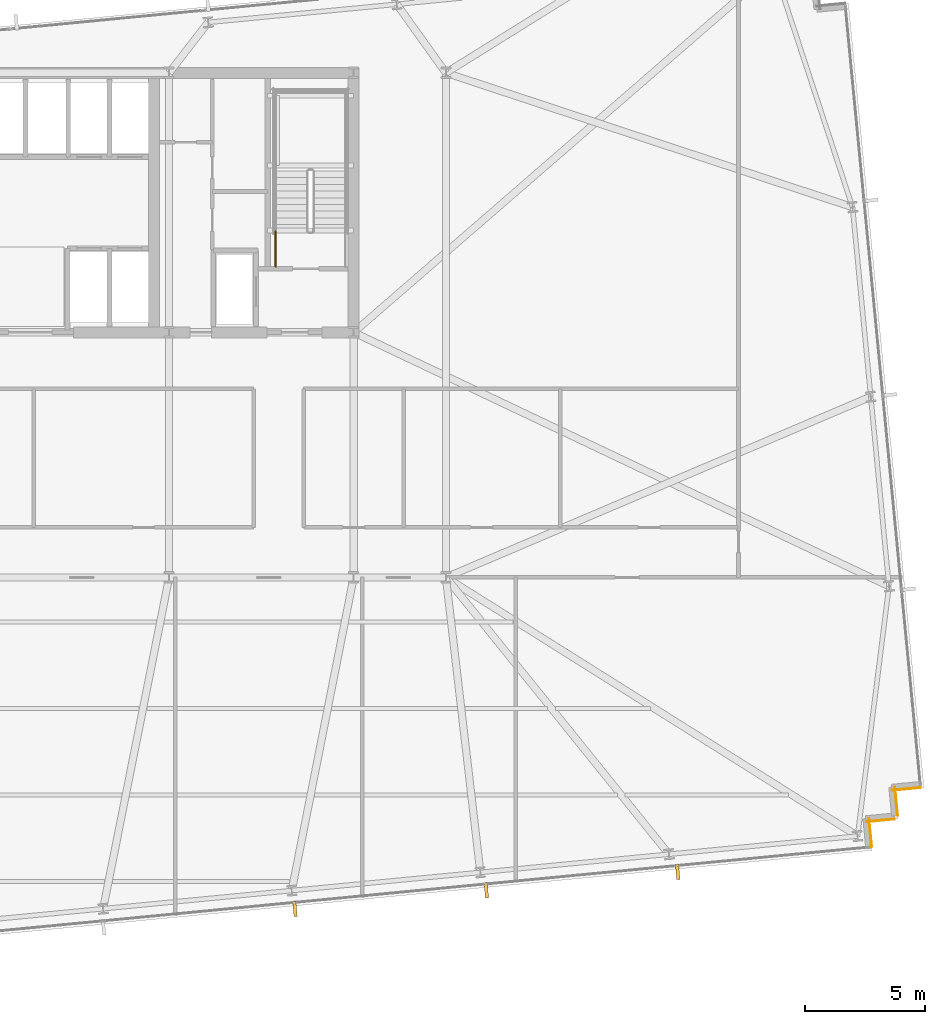
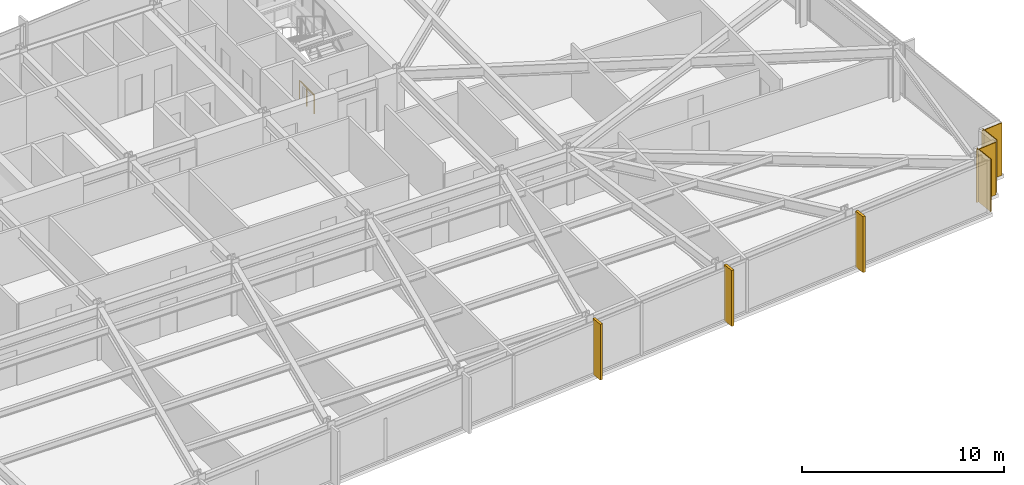
# One storey, part 29 of 32: 4 coverings, 3 shading devices, 1 railing.
"""IFC4 building model written with IfcOpenShell, lengths in metres."""

from ifc_helpers import new_model, si_unit, direction, frame, frame_2d, origin, origin_2d, place, context, subcontext, project, spatial, rectangle, circle, extrude, material, layer, layer_set, type_object, element, save


model = new_model("IFC4")

# Units and contexts
model_context = context("Model", 3, precision=1e-05, world=origin(), true_north=direction((0.0, 1.0)))
body_context = subcontext(model_context, "Body", "Model", "MODEL_VIEW")
ifc_project = project(units=[si_unit("LENGTHUNIT", "METRE"), si_unit("AREAUNIT", "SQUARE_METRE"), si_unit("VOLUMEUNIT", "CUBIC_METRE"), si_unit("PLANEANGLEUNIT", "RADIAN"), si_unit("MASSUNIT", "GRAM", prefix="KILO")], contexts=[model_context])

# Site, building, storey
site_placement = place(None, origin())
site = spatial("IfcSite", under=ifc_project, at=site_placement, CompositionType="ELEMENT")
building_placement = place(site_placement, origin())
building = spatial("IfcBuilding", under=site, at=building_placement, Name="Yelkora Congress Tower", CompositionType="ELEMENT")
storey_placement = place(building_placement, frame((0.0, 0.0, 93.10009765625)))
storey = spatial("IfcBuildingStorey", under=building, at=storey_placement, Name="L24", CompositionType="ELEMENT", Elevation=93.10009765625)

# Coverings
ifc_material_1 = material(Name="Anatolian bush-hammered limestone", Category="masonry")
ifc_layer_1 = layer(ifc_material_1, 0.0400390625)
ifc_layer_set_1 = layer_set([ifc_layer_1], Name="Anatolian bush-hammered limestone")
covering_type = type_object("IfcCoveringType", Name="COV-CLAD-SPANDREL-40", PredefinedType="CLADDING", material=ifc_layer_set_1)
for number, where, z_axis, x_axis, name in (
    (1, (77.360595703125, 16.451416015625, 0.0), (0.0, 0.0, 1.0), (-0.995377661201, -0.096038073607, 0.0), "L24 Anatolian Limestone Cladding EW-L24-SR16"),
    (2, (76.28759765625, 16.483642578125, 0.0), (0.0, 0.0, 1.0), (0.095836473879, -0.995397091755, 0.0), "L24 Anatolian Limestone Cladding EW-L24-SR17"),
    (3, (76.28125, 15.141845703125, 0.0), (0.0, 0.0, 1.0), (-0.995397091755, -0.095836473879, 0.0), "L24 Anatolian Limestone Cladding EW-L24-SR18"),
):
    element("IfcCovering", number, at=place(storey_placement, frame(where, z_axis=z_axis, x_axis=x_axis)), inside=storey, type_object=covering_type, Name=name, PredefinedType="CLADDING", context=body_context, shape_type="SweptSolid", body=[
        extrude(rectangle(XDim=1.199951171875, YDim=0.0400390625, at=frame_2d((0.60009765625, 0.0))), origin(), (0.0, 0.0, 1.0), 3.179931640625),
    ])
covering_placement = place(storey_placement, frame((75.208251953125, 15.17431640625, 0.0), z_axis=(0.0, 0.0, 1.0), x_axis=(0.095817067274, -0.995398960025, 0.0)))
element("IfcCovering", 4, at=covering_placement, inside=storey, type_object=covering_type, Name="L24 Anatolian Limestone Cladding EW-L24-SR19", PredefinedType="CLADDING", context=body_context, shape_type="SweptSolid", body=[
    extrude(rectangle(XDim=1.2001953125, YDim=0.0400390625, at=frame_2d((0.60009765625, 0.0))), origin(), (0.0, 0.0, 1.0), 3.179931640625),
])

# Railing
ifc_material_2 = material(Name="Painted galvanised steel stair well guard with vertical infill", Category="steel")
ifc_layer_2 = layer(ifc_material_2, 0.06005859375)
ifc_layer_set_2 = layer_set([ifc_layer_2], Name="Painted galvanised steel stair well guard with vertical infill")
railing_type = type_object("IfcRailingType", Name="RAIL-STAIR-GUARD-1120", PredefinedType="GUARDRAIL", material=ifc_layer_set_2)
railing_placement = place(storey_placement, frame((50.510009765625, 38.1201171875, 0.0)))
element("IfcRailing", 5, at=railing_placement, inside=storey, type_object=railing_type, Name="ST-02 L24 Stair Well Guardrail 9", PredefinedType="GUARDRAIL", context=body_context, shape_type="SweptSolid", body=[
    extrude(circle(Radius=0.02392578125, at=origin_2d()), frame((0.0, 0.0, 1.09619140625), z_axis=(0.0, 1.0, 0.0), x_axis=(-1.0, 0.0, 0.0)), (0.0, 0.0, 1.0), 1.47998046875),
    extrude(circle(Radius=0.02099609375, at=origin_2d()), origin(), (0.0, 0.0, 1.0), 1.072021484375),
    extrude(circle(Radius=0.02099609375, at=origin_2d()), frame((0.0, 0.739990234375, 0.0)), (0.0, 0.0, 1.0), 1.072021484375),
    extrude(circle(Radius=0.02099609375, at=origin_2d()), frame((0.0, 1.47998046875, 0.0)), (0.0, 0.0, 1.0), 1.072021484375),
])

# Shading devices
ifc_material_3 = material(Name="Champagne anodised aluminium", Category="aluminium")
ifc_layer_3 = layer(ifc_material_3, 3.39990234375)
ifc_layer_set_3 = layer_set([ifc_layer_3], Name="Champagne anodised aluminium")
shading_device_type = type_object("IfcShadingDeviceType", Name="SHD-FIN-ALU-640", PredefinedType="USERDEFINED", material=ifc_layer_set_3)
for number, where, z_axis, x_axis, name in (
    (6, (67.247802734375, 12.94091796875, -0.030029296875), (0.0, 0.0, 1.0), (-0.995396198367, -0.09584575252, 0.0), "L24 Vertical Anodised Solar Fin 20-1"),
    (7, (59.28173828125, 12.173828125, -0.030029296875), (0.0, 0.0, 1.0), (-0.995396198367, -0.09584575252, 0.0), "L24 Vertical Anodised Solar Fin 20-2"),
    (8, (51.315673828125, 11.40673828125, -0.030029296875), (0.0, 0.0, 1.0), (-0.995396198367, -0.09584575252, 0.0), "L24 Vertical Anodised Solar Fin 20-3"),
):
    element("IfcShadingDevice", number, at=place(storey_placement, frame(where, z_axis=z_axis, x_axis=x_axis)), inside=storey, type_object=shading_device_type, Name=name, ObjectType="FIN", PredefinedType="USERDEFINED", context=body_context, shape_type="SweptSolid", body=[
        extrude(rectangle(XDim=0.139892578125, YDim=0.639892578125, at=origin_2d()), origin(), (0.0, 0.0, 1.0), 3.3798828125),
    ])

save(model, "model.ifc")
